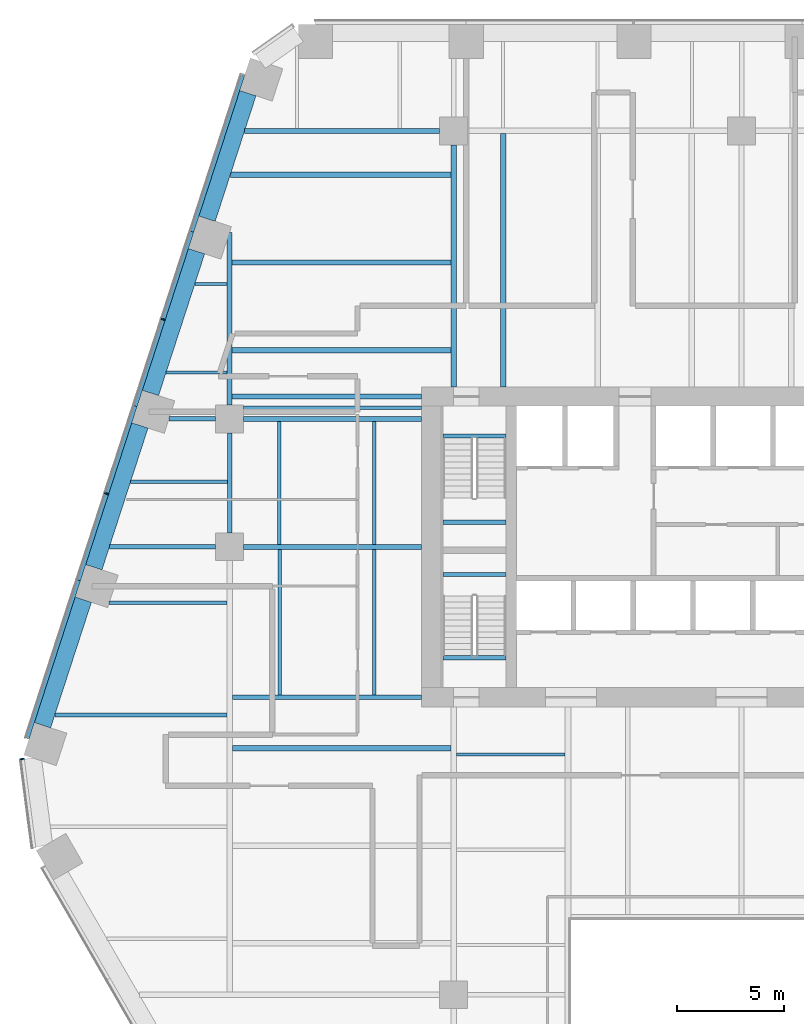
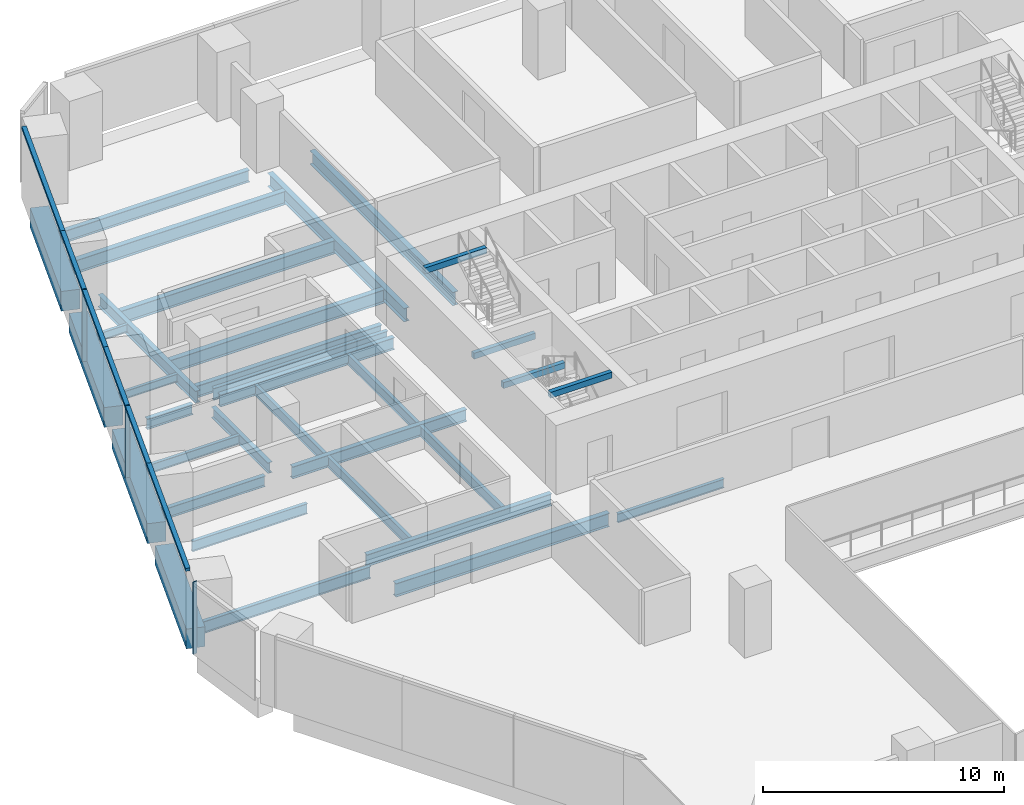
# One storey, part 8 of 21: 34 beams, 9 members, 2 elements without a shape of their own.
"""IFC4 building model written with IfcOpenShell, lengths in metres."""

from ifc_helpers import new_model, si_unit, direction, frame, origin, origin_2d, place, context, subcontext, project, spatial, rectangle, i_section, extrude, material, layer, layer_set, material_profile, profile_set, type_object, element, aggregate, save


model = new_model("IFC4")

# Units and contexts
model_context = context("Model", 3, precision=1e-05, world=origin(), true_north=direction((0.0, 1.0)))
body_context = subcontext(model_context, "Body", "Model", "MODEL_VIEW")
ifc_project = project(units=[si_unit("LENGTHUNIT", "METRE"), si_unit("AREAUNIT", "SQUARE_METRE"), si_unit("VOLUMEUNIT", "CUBIC_METRE"), si_unit("PLANEANGLEUNIT", "RADIAN"), si_unit("MASSUNIT", "GRAM", prefix="KILO")], contexts=[model_context])

# Site, building, storey
site_placement = place(None, origin())
site = spatial("IfcSite", under=ifc_project, at=site_placement, CompositionType="ELEMENT")
building_placement = place(site_placement, origin())
building = spatial("IfcBuilding", under=site, at=building_placement, Name="Isthmus Gate Tower", CompositionType="ELEMENT")
storey_placement = place(building_placement, frame((0.0, 0.0, 106.199951171875)))
storey = spatial("IfcBuildingStorey", under=building, at=storey_placement, Name="L25", CompositionType="ELEMENT", Elevation=106.199951171875)

# Curtain wall, members
ifc_material_1 = material(Name="Aluminium, pale champagne anodised", Category="aluminium")
ifc_layer = layer(ifc_material_1, 0.199951171875)
ifc_layer_set = layer_set([ifc_layer], Name="CW-1 UNITISED CURTAIN WALL 200 DEEP")
curtain_wall_type = type_object("IfcCurtainWallType", Name="CW-1 UNITISED CURTAIN WALL 200 DEEP", PredefinedType="NOTDEFINED", material=ifc_layer_set)
curtain_wall_1_placement = place(storey_placement, origin())
curtain_wall_1 = element("IfcCurtainWall", 1, at=curtain_wall_1_placement, inside=storey, type_object=curtain_wall_type, Name="CW-1 NW L25", PredefinedType="NOTDEFINED")
ifc_material_2 = material(Name="Aluminium, pale champagne anodised", Category="aluminium")
ifc_material_profile_1 = material_profile(ifc_material_2, rectangle(XDim=0.06005859375, YDim=0.199951171875, at=origin_2d()), Name="60x200")
ifc_profile_set_1 = profile_set([ifc_material_profile_1], Name="Aluminium, pale champagne anodised")
member_type_1 = type_object("IfcMemberType", Name="CW-1 MULLION 60 X 200", PredefinedType="MULLION", material=ifc_profile_set_1)
member_1_placement = place(storey_placement, frame((-27.11474609375, 18.163818359375, 0.0), z_axis=(0.0, 0.0, 1.0), x_axis=(-0.309016994375, -0.951056516295, 0.0)))
member_1 = element("IfcMember", 2, at=member_1_placement, type_object=member_type_1, Name="CW-1 mullion", PredefinedType="MULLION", context=body_context, shape_type="SweptSolid", body=[
    extrude(rectangle(XDim=0.06005859375, YDim=0.199951171875, at=origin_2d()), origin(), (0.0, 0.0, 1.0), 3.650146484375),
])
member_2_placement = place(storey_placement, frame((-29.76904296875, 9.994873046875, 0.0), z_axis=(0.0, 0.0, 1.0), x_axis=(-0.309016994375, -0.951056516295, 0.0)))
member_2 = element("IfcMember", 3, at=member_2_placement, type_object=member_type_1, Name="CW-1 mullion", PredefinedType="MULLION", context=body_context, shape_type="SweptSolid", body=[
    extrude(rectangle(XDim=0.06005859375, YDim=0.199951171875, at=origin_2d()), origin(), (0.0, 0.0, 1.0), 3.650146484375),
])

# Curtain wall, member
curtain_wall_2_placement = place(storey_placement, origin())
curtain_wall_2 = element("IfcCurtainWall", 4, at=curtain_wall_2_placement, inside=storey, type_object=curtain_wall_type, Name="CW-1 NW-SW L25", PredefinedType="NOTDEFINED")
member_3_placement = place(storey_placement, frame((-33.722900390625, -2.44482421875, 0.0), z_axis=(0.0, 0.0, 1.0), x_axis=(0.129164534, -0.991623175988, 0.0)))
member_3 = element("IfcMember", 5, at=member_3_placement, type_object=member_type_1, Name="CW-1 mullion", PredefinedType="MULLION", context=body_context, shape_type="SweptSolid", body=[
    extrude(rectangle(XDim=0.06005859375, YDim=0.199951171875, at=origin_2d()), origin(), (0.0, 0.0, 1.0), 3.650146484375),
])
aggregate(curtain_wall_2, [member_3])

# Member
ifc_material_3 = material(Name="Aluminium, pale champagne anodised", Category="aluminium")
ifc_material_profile_2 = material_profile(ifc_material_3, rectangle(XDim=0.199951171875, YDim=0.14990234375, at=origin_2d()), Name="200x150")
ifc_profile_set_2 = profile_set([ifc_material_profile_2], Name="Aluminium, pale champagne anodised")
member_type_2 = type_object("IfcMemberType", Name="CW-1 TRANSOM 200 X 150", PredefinedType="USERDEFINED", material=ifc_profile_set_2)
member_4_placement = place(storey_placement, frame((-23.389892578125, 29.6279296875, 3.574951171875), z_axis=(-0.309036077329, -0.951050315656, 0.0), x_axis=(0.951050315656, -0.309036077329, 0.0)))
member_4 = element("IfcMember", 6, at=member_4_placement, type_object=member_type_2, Name="CW-1 transom", ObjectType="TRANSOM", PredefinedType="USERDEFINED", context=body_context, shape_type="SweptSolid", body=[
    extrude(rectangle(XDim=0.199951171875, YDim=0.14990234375, at=origin_2d()), origin(), (0.0, 0.0, 1.0), 7.7294921875),
])

member_5_placement = place(storey_placement, frame((-25.778564453125, 22.27685546875, 3.574951171875), z_axis=(-0.309021801109, -0.951054954479, 0.0), x_axis=(0.951054954479, -0.309021801109, 0.0)))
member_5 = element("IfcMember", 7, at=member_5_placement, type_object=member_type_2, Name="CW-1 transom", ObjectType="TRANSOM", PredefinedType="USERDEFINED", context=body_context, shape_type="SweptSolid", body=[
    extrude(rectangle(XDim=0.199951171875, YDim=0.14990234375, at=origin_2d()), origin(), (0.0, 0.0, 1.0), 4.294677734375),
])

member_6_placement = place(storey_placement, frame((-27.1240234375, 18.13525390625, 3.574951171875), z_axis=(-0.309023496777, -0.951054403512, 0.0), x_axis=(0.951054403512, -0.309023496777, 0.0)))
member_6 = element("IfcMember", 8, at=member_6_placement, type_object=member_type_2, Name="CW-1 transom", ObjectType="TRANSOM", PredefinedType="USERDEFINED", context=body_context, shape_type="SweptSolid", body=[
    extrude(rectangle(XDim=0.199951171875, YDim=0.14990234375, at=origin_2d()), origin(), (0.0, 0.0, 1.0), 4.234619140625),
])

member_7_placement = place(storey_placement, frame((-28.4326171875, 14.10791015625, 3.574951171875), z_axis=(-0.309021801109, -0.951054954479, 0.0), x_axis=(0.951054954479, -0.309021801109, 0.0)))
member_7 = element("IfcMember", 9, at=member_7_placement, type_object=member_type_2, Name="CW-1 transom", ObjectType="TRANSOM", PredefinedType="USERDEFINED", context=body_context, shape_type="SweptSolid", body=[
    extrude(rectangle(XDim=0.199951171875, YDim=0.14990234375, at=origin_2d()), origin(), (0.0, 0.0, 1.0), 4.294677734375),
])

member_8_placement = place(storey_placement, frame((-29.7783203125, 9.96630859375, 3.574951171875), z_axis=(-0.309023496777, -0.951054403512, 0.0), x_axis=(0.951054403512, -0.309023496777, 0.0)))
member_8 = element("IfcMember", 10, at=member_8_placement, type_object=member_type_2, Name="CW-1 transom", ObjectType="TRANSOM", PredefinedType="USERDEFINED", context=body_context, shape_type="SweptSolid", body=[
    extrude(rectangle(XDim=0.199951171875, YDim=0.14990234375, at=origin_2d()), origin(), (0.0, 0.0, 1.0), 4.234619140625),
])

member_9_placement = place(storey_placement, frame((-31.0869140625, 5.93896484375, 3.574951171875), z_axis=(-0.309015907338, -0.951056869494, 0.0), x_axis=(0.951056869494, -0.309015907338, 0.0)))
member_9 = element("IfcMember", 11, at=member_9_placement, type_object=member_type_2, Name="CW-1 transom", ObjectType="TRANSOM", PredefinedType="USERDEFINED", context=body_context, shape_type="SweptSolid", body=[
    extrude(rectangle(XDim=0.199951171875, YDim=0.14990234375, at=origin_2d()), origin(), (0.0, 0.0, 1.0), 7.789306640625),
])

aggregate(curtain_wall_1, [member_4, member_5, member_1, member_6, member_7, member_2, member_8, member_9])

# Beams
ifc_material_4 = material(Name="Concrete f'c 70 MPa", Category="concrete")
ifc_material_profile_3 = material_profile(ifc_material_4, rectangle(XDim=0.800048828125, YDim=1.0, at=origin_2d()), Name="RC 800X1000")
ifc_profile_set_3 = profile_set([ifc_material_profile_3], Name="Concrete f'c 70 MPa")
beam_type_1 = type_object("IfcBeamType", Name="RC SPANDREL 800 X 1000", PredefinedType="SPANDREL", material=ifc_profile_set_3)
beam_1_placement = place(storey_placement, frame((-32.771240234375, -0.86279296875, -0.5), z_axis=(0.309012042366, 0.951058125286, 0.0), x_axis=(-0.951058125286, 0.309012042366, 0.0)))
element("IfcBeam", 12, at=beam_1_placement, inside=storey, type_object=beam_type_1, Name="str-spandrel-L25-18", PredefinedType="SPANDREL", context=body_context, shape_type="SweptSolid", body=[
    extrude(rectangle(XDim=0.800048828125, YDim=1.0, at=origin_2d()), origin(), (0.0, 0.0, 1.0), 6.189453125),
])
for number, where, z_axis, x_axis, name in (
    (13, (-30.3642578125, 6.54541015625, -0.5), (0.309029993465, 0.951052292537, 0.0), (-0.951052292537, 0.309029993465, 0.0), "str-spandrel-L25-19"),
    (14, (-27.7099609375, 14.71435546875, -0.5), (0.309029993465, 0.951052292537, 0.0), (-0.951052292537, 0.309029993465, 0.0), "str-spandrel-L25-20"),
):
    element("IfcBeam", number, at=place(storey_placement, frame(where, z_axis=z_axis, x_axis=x_axis)), inside=storey, type_object=beam_type_1, Name=name, PredefinedType="SPANDREL", context=body_context, shape_type="SweptSolid", body=[
        extrude(rectangle(XDim=0.800048828125, YDim=1.0, at=origin_2d()), origin(), (0.0, 0.0, 1.0), 6.9892578125),
    ])
beam_2_placement = place(storey_placement, frame((-25.0556640625, 22.88330078125, -0.5), z_axis=(0.309023635203, 0.951054358534, 0.0), x_axis=(-0.951054358534, 0.309023635203, 0.0)))
element("IfcBeam", 15, at=beam_2_placement, inside=storey, type_object=beam_type_1, Name="str-spandrel-L25-21", PredefinedType="SPANDREL", context=body_context, shape_type="SweptSolid", body=[
    extrude(rectangle(XDim=0.800048828125, YDim=1.0, at=origin_2d()), origin(), (0.0, 0.0, 1.0), 6.189208984375),
])
ifc_material_5 = material(Name="Concrete f'c 40 MPa", Category="concrete")
ifc_material_profile_4 = material_profile(ifc_material_5, rectangle(XDim=0.199951171875, YDim=0.300048828125, at=origin_2d()), Name="STAIR LANDING BEAM RC 200 X 300")
ifc_profile_set_4 = profile_set([ifc_material_profile_4], Name="Concrete f'c 40 MPa")
beam_type_2 = type_object("IfcBeamType", Name="STAIR LANDING BEAM RC 200 X 300", PredefinedType="BEAM", material=ifc_profile_set_4)
for number, where, z_axis, x_axis, name in (
    (16, (-14.0, 8.64990234375, 1.47509765625), (1.0, 0.0, 0.0), (0.0, 1.0, 0.0), "L25 ST1 landing beam 1"),
    (17, (-14.0, 12.7001953125, 3.35009765625), (1.0, 0.0, 0.0), (0.0, 1.0, 0.0), "L25 ST1 floor-edge seat beam"),
    (18, (-14.0, 6.199951171875, 1.47509765625), (1.0, 0.0, 0.0), (0.0, 1.0, 0.0), "L25 ST7 landing beam 1"),
    (19, (-14.0, 2.2998046875, 3.35009765625), (1.0, 0.0, 0.0), (0.0, 1.0, 0.0), "L25 ST7 floor-edge seat beam"),
):
    element("IfcBeam", number, at=place(storey_placement, frame(where, z_axis=z_axis, x_axis=x_axis)), inside=storey, type_object=beam_type_2, Name=name, PredefinedType="BEAM", context=body_context, shape_type="SweptSolid", body=[
        extrude(rectangle(XDim=0.199951171875, YDim=0.300048828125, at=origin_2d()), origin(), (0.0, 0.0, 1.0), 2.949951171875),
    ])
ifc_material_6 = material(Name="Structural steel ASTM A992 Gr 50", Category="steel")
ifc_material_profile_5 = material_profile(ifc_material_6, i_section(OverallWidth=0.1396484375, OverallDepth=0.4033203125, WebThickness=0.00634765625, FlangeThickness=0.010986328125, at=origin_2d()), Name="W16X31")
ifc_profile_set_5 = profile_set([ifc_material_profile_5], Name="Structural steel ASTM A992 Gr 50")
beam_type_3 = type_object("IfcBeamType", Name="STEEL FLOOR BEAM W16X31", PredefinedType="JOIST", material=ifc_profile_set_5)
beam_3_placement = place(storey_placement, frame((-26.976318359375, 15.677978515625, -0.3515625), z_axis=(1.0, 0.0, 0.0), x_axis=(0.0, 1.0, 0.0)))
element("IfcBeam", 20, at=beam_3_placement, inside=storey, type_object=beam_type_3, Name="str-beam-L25-02-00", PredefinedType="JOIST", context=body_context, shape_type="SweptSolid", body=[
    extrude(i_section(OverallWidth=0.1396484375, OverallDepth=0.4033203125, WebThickness=0.00634765625, FlangeThickness=0.010986328125, at=origin_2d()), origin(), (0.0, 0.0, 1.0), 2.862060546875),
])
beam_4_placement = place(storey_placement, frame((-25.629150390625, 19.82421875, -0.3515625), z_axis=(1.0, 0.0, 0.0), x_axis=(0.0, 1.0, 0.0)))
element("IfcBeam", 21, at=beam_4_placement, inside=storey, type_object=beam_type_3, Name="str-beam-L25-02-01", PredefinedType="JOIST", context=body_context, shape_type="SweptSolid", body=[
    extrude(i_section(OverallWidth=0.1396484375, OverallDepth=0.4033203125, WebThickness=0.00634765625, FlangeThickness=0.010986328125, at=origin_2d()), origin(), (0.0, 0.0, 1.0), 1.514892578125),
])
ifc_material_7 = material(Name="Structural steel ASTM A992 Gr 50", Category="steel")
ifc_material_profile_6 = material_profile(ifc_material_7, i_section(OverallWidth=0.15234375, OverallDepth=0.45068359375, WebThickness=0.0078125, FlangeThickness=0.010986328125, at=origin_2d()), Name="W18X35")
ifc_profile_set_6 = profile_set([ifc_material_profile_6], Name="Structural steel ASTM A992 Gr 50")
beam_type_4 = type_object("IfcBeamType", Name="STEEL FLOOR BEAM W18X35", PredefinedType="JOIST", material=ifc_profile_set_6)
beam_5_placement = place(storey_placement, frame((-28.6416015625, 10.552490234375, -0.375244140625), z_axis=(1.0, 0.0, 0.0), x_axis=(0.0, 1.0, 0.0)))
element("IfcBeam", 22, at=beam_5_placement, inside=storey, type_object=beam_type_4, Name="str-beam-L25-01-00", PredefinedType="JOIST", context=body_context, shape_type="SweptSolid", body=[
    extrude(i_section(OverallWidth=0.15234375, OverallDepth=0.45068359375, WebThickness=0.0078125, FlangeThickness=0.010986328125, at=origin_2d()), origin(), (0.0, 0.0, 1.0), 4.536865234375),
])
beam_6_placement = place(storey_placement, frame((-13.3681640625, -2.232421875, -0.375244140625), z_axis=(1.0, 0.0, 0.0), x_axis=(0.0, 1.0, 0.0)))
element("IfcBeam", 23, at=beam_6_placement, inside=storey, type_object=beam_type_4, Name="str-beam-L25-12-02", PredefinedType="JOIST", context=body_context, shape_type="SweptSolid", body=[
    extrude(i_section(OverallWidth=0.15234375, OverallDepth=0.45068359375, WebThickness=0.0078125, FlangeThickness=0.010986328125, at=origin_2d()), origin(), (0.0, 0.0, 1.0), 5.1015625),
])
ifc_material_8 = material(Name="Structural steel ASTM A992 Gr 50", Category="steel")
ifc_material_profile_7 = material_profile(ifc_material_8, i_section(OverallWidth=0.1650390625, OverallDepth=0.52392578125, WebThickness=0.009521484375, FlangeThickness=0.010986328125, at=origin_2d()), Name="W21X44")
ifc_profile_set_7 = profile_set([ifc_material_profile_7], Name="Structural steel ASTM A992 Gr 50")
beam_type_5 = type_object("IfcBeamType", Name="STEEL FLOOR BEAM W21X44", PredefinedType="JOIST", material=ifc_profile_set_7)
beam_7_placement = place(storey_placement, frame((-29.645263671875, 4.875, -0.411865234375), z_axis=(1.0, 0.0, 0.0), x_axis=(0.0, 1.0, 0.0)))
element("IfcBeam", 24, at=beam_7_placement, inside=storey, type_object=beam_type_5, Name="str-beam-L25-00-03", PredefinedType="JOIST", context=body_context, shape_type="SweptSolid", body=[
    extrude(i_section(OverallWidth=0.1650390625, OverallDepth=0.52392578125, WebThickness=0.009521484375, FlangeThickness=0.010986328125, at=origin_2d()), origin(), (0.0, 0.0, 1.0), 5.511962890625),
])
for number, where, z_axis, x_axis, name in (
    (25, (-21.64990234375, 0.564208984375, -0.411865234375), (0.0, 1.0, 0.0), (-1.0, 0.0, 0.0), "str-beam-L25-03-00"),
    (26, (-17.216552734375, 0.564208984375, -0.411865234375), (0.0, 1.0, 0.0), (-1.0, 0.0, 0.0), "str-beam-L25-03-01"),
):
    element("IfcBeam", number, at=place(storey_placement, frame(where, z_axis=z_axis, x_axis=x_axis)), inside=storey, type_object=beam_type_5, Name=name, PredefinedType="JOIST", context=body_context, shape_type="SweptSolid", body=[
        extrude(i_section(OverallWidth=0.1650390625, OverallDepth=0.52392578125, WebThickness=0.009521484375, FlangeThickness=0.010986328125, at=origin_2d()), origin(), (0.0, 0.0, 1.0), 6.821533203125),
    ])
for number, where, z_axis, x_axis, name in (
    (27, (-21.67138671875, 7.6142578125, -0.411865234375), (0.0, 1.0, 0.0), (-1.0, 0.0, 0.0), "str-beam-L25-04-00"),
    (28, (-17.223876953125, 7.6142578125, -0.411865234375), (0.0, 1.0, 0.0), (-1.0, 0.0, 0.0), "str-beam-L25-04-01"),
):
    element("IfcBeam", number, at=place(storey_placement, frame(where, z_axis=z_axis, x_axis=x_axis)), inside=storey, type_object=beam_type_5, Name=name, PredefinedType="JOIST", context=body_context, shape_type="SweptSolid", body=[
        extrude(i_section(OverallWidth=0.1650390625, OverallDepth=0.52392578125, WebThickness=0.009521484375, FlangeThickness=0.010986328125, at=origin_2d()), origin(), (0.0, 0.0, 1.0), 5.771484375),
    ])
ifc_material_9 = material(Name="Structural steel ASTM A992 Gr 50", Category="steel")
ifc_material_profile_8 = material_profile(ifc_material_9, i_section(OverallWidth=0.177734375, OverallDepth=0.60009765625, WebThickness=0.009521484375, FlangeThickness=0.0126953125, at=origin_2d()), Name="W24X55")
ifc_profile_set_8 = profile_set([ifc_material_profile_8], Name="Structural steel ASTM A992 Gr 50")
beam_type_6 = type_object("IfcBeamType", Name="STEEL FLOOR BEAM W24X55", PredefinedType="JOIST", material=ifc_profile_set_8)
beam_8_placement = place(storey_placement, frame((-32.192138671875, -0.375, -0.449951171875), z_axis=(1.0, 0.0, 0.0), x_axis=(0.0, 1.0, 0.0)))
element("IfcBeam", 29, at=beam_8_placement, inside=storey, type_object=beam_type_6, Name="str-beam-L25-00-02", PredefinedType="JOIST", context=body_context, shape_type="SweptSolid", body=[
    extrude(i_section(OverallWidth=0.177734375, OverallDepth=0.60009765625, WebThickness=0.009521484375, FlangeThickness=0.0126953125, at=origin_2d()), origin(), (0.0, 0.0, 1.0), 8.058837890625),
])
beam_9_placement = place(storey_placement, frame((-23.35009765625, 14.02490234375, -0.449951171875), z_axis=(1.0, 0.0, 0.0), x_axis=(0.0, 1.0, 0.0)))
element("IfcBeam", 30, at=beam_9_placement, inside=storey, type_object=beam_type_6, Name="str-beam-L25-05-00", PredefinedType="JOIST", context=body_context, shape_type="SweptSolid", body=[
    extrude(i_section(OverallWidth=0.177734375, OverallDepth=0.60009765625, WebThickness=0.009521484375, FlangeThickness=0.0126953125, at=origin_2d()), origin(), (0.0, 0.0, 1.0), 8.35009765625),
])
ifc_material_10 = material(Name="Structural steel ASTM A992 Gr 50", Category="steel")
ifc_material_profile_9 = material_profile(ifc_material_10, i_section(OverallWidth=0.25390625, OverallDepth=0.679443359375, WebThickness=0.010986328125, FlangeThickness=0.015869140625, at=origin_2d()), Name="W27X84")
ifc_profile_set_9 = profile_set([ifc_material_profile_9], Name="Structural steel ASTM A992 Gr 50")
beam_type_7 = type_object("IfcBeamType", Name="STEEL FLOOR BEAM W27X84", PredefinedType="JOIST", material=ifc_profile_set_9)
for number, where, z_axis, x_axis, name in (
    (31, (-23.8857421875, 16.72021484375, -0.48974609375), (1.0, 0.0, 0.0), (0.0, 1.0, 0.0), "str-beam-L25-07-00"),
    (32, (-23.8857421875, 20.83203125, -0.48974609375), (1.0, 0.0, 0.0), (0.0, 1.0, 0.0), "str-beam-L25-07-01"),
):
    element("IfcBeam", number, at=place(storey_placement, frame(where, z_axis=z_axis, x_axis=x_axis)), inside=storey, type_object=beam_type_7, Name=name, PredefinedType="JOIST", context=body_context, shape_type="SweptSolid", body=[
        extrude(i_section(OverallWidth=0.25390625, OverallDepth=0.679443359375, WebThickness=0.010986328125, FlangeThickness=0.015869140625, at=origin_2d()), origin(), (0.0, 0.0, 1.0), 10.2587890625),
    ])
beam_10_placement = place(storey_placement, frame((-23.965576171875, 24.944091796875, -0.48974609375), z_axis=(1.0, 0.0, 0.0), x_axis=(0.0, 1.0, 0.0)))
element("IfcBeam", 33, at=beam_10_placement, inside=storey, type_object=beam_type_7, Name="str-beam-L25-07-02", PredefinedType="JOIST", context=body_context, shape_type="SweptSolid", body=[
    extrude(i_section(OverallWidth=0.25390625, OverallDepth=0.679443359375, WebThickness=0.010986328125, FlangeThickness=0.015869140625, at=origin_2d()), origin(), (0.0, 0.0, 1.0), 10.338623046875),
])
beam_11_placement = place(storey_placement, frame((-23.86669921875, -1.947998046875, -0.48974609375), z_axis=(1.0, 0.0, 0.0), x_axis=(0.0, 1.0, 0.0)))
element("IfcBeam", 34, at=beam_11_placement, inside=storey, type_object=beam_type_7, Name="str-beam-L25-08-02", PredefinedType="JOIST", context=body_context, shape_type="SweptSolid", body=[
    extrude(i_section(OverallWidth=0.25390625, OverallDepth=0.679443359375, WebThickness=0.010986328125, FlangeThickness=0.015869140625, at=origin_2d()), origin(), (0.0, 0.0, 1.0), 10.23486328125),
])
beam_12_placement = place(storey_placement, frame((-11.165283203125, 15.0, -0.48974609375), z_axis=(0.0, 1.0, 0.0), x_axis=(-1.0, 0.0, 0.0)))
element("IfcBeam", 35, at=beam_12_placement, inside=storey, type_object=beam_type_7, Name="str-beam-L25-14-00", PredefinedType="JOIST", context=body_context, shape_type="SweptSolid", body=[
    extrude(i_section(OverallWidth=0.25390625, OverallDepth=0.679443359375, WebThickness=0.010986328125, FlangeThickness=0.015869140625, at=origin_2d()), origin(), (0.0, 0.0, 1.0), 11.8681640625),
])
ifc_material_11 = material(Name="Structural steel ASTM A992 Gr 50", Category="steel")
ifc_material_profile_10 = material_profile(ifc_material_11, i_section(OverallWidth=0.20947265625, OverallDepth=0.533447265625, WebThickness=0.009521484375, FlangeThickness=0.015869140625, at=origin_2d()), Name="W21X62")
ifc_profile_set_10 = profile_set([ifc_material_profile_10], Name="Structural steel ASTM A992 Gr 50")
beam_type_8 = type_object("IfcBeamType", Name="STEEL GIRDER W21X62", PredefinedType="BEAM", material=ifc_profile_set_10)
beam_13_placement = place(storey_placement, frame((-29.633544921875, 7.5, -0.416748046875), z_axis=(1.0, 0.0, 0.0), x_axis=(0.0, 1.0, 0.0)))
element("IfcBeam", 36, at=beam_13_placement, inside=storey, type_object=beam_type_8, Name="str-girder-L25-09", PredefinedType="BEAM", context=body_context, shape_type="SweptSolid", body=[
    extrude(i_section(OverallWidth=0.20947265625, OverallDepth=0.533447265625, WebThickness=0.009521484375, FlangeThickness=0.015869140625, at=origin_2d()), origin(), (0.0, 0.0, 1.0), 4.983642578125),
])
beam_14_placement = place(storey_placement, frame((-26.8427734375, 13.5, -0.416748046875), z_axis=(1.0, 0.0, 0.0), x_axis=(0.0, 1.0, 0.0)))
element("IfcBeam", 37, at=beam_14_placement, inside=storey, type_object=beam_type_8, Name="str-girder-L25-13", PredefinedType="BEAM", context=body_context, shape_type="SweptSolid", body=[
    extrude(i_section(OverallWidth=0.20947265625, OverallDepth=0.533447265625, WebThickness=0.009521484375, FlangeThickness=0.015869140625, at=origin_2d()), origin(), (0.0, 0.0, 1.0), 2.19287109375),
])
beam_15_placement = place(storey_placement, frame((-24.0, 8.14990234375, -0.416748046875), z_axis=(0.0, 1.0, 0.0), x_axis=(-1.0, 0.0, 0.0)))
element("IfcBeam", 38, at=beam_15_placement, inside=storey, type_object=beam_type_8, Name="str-girder-L25-22", PredefinedType="BEAM", context=body_context, shape_type="SweptSolid", body=[
    extrude(i_section(OverallWidth=0.20947265625, OverallDepth=0.533447265625, WebThickness=0.009521484375, FlangeThickness=0.015869140625, at=origin_2d()), origin(), (0.0, 0.0, 1.0), 4.7001953125),
])
ifc_material_12 = material(Name="Structural steel ASTM A992 Gr 50", Category="steel")
ifc_material_profile_11 = material_profile(ifc_material_12, i_section(OverallWidth=0.228515625, OverallDepth=0.6064453125, WebThickness=0.010986328125, FlangeThickness=0.017578125, at=origin_2d()), Name="W24X76")
ifc_profile_set_11 = profile_set([ifc_material_profile_11], Name="Structural steel ASTM A992 Gr 50")
beam_type_9 = type_object("IfcBeamType", Name="STEEL GIRDER W24X76", PredefinedType="BEAM", material=ifc_profile_set_11)
for number, where, z_axis, x_axis, name in (
    (39, (-23.35009765625, 7.5, -0.453125), (1.0, 0.0, 0.0), (0.0, 1.0, 0.0), "str-girder-L25-10"),
    (40, (-23.35009765625, 13.5, -0.453125), (1.0, 0.0, 0.0), (0.0, 1.0, 0.0), "str-girder-L25-14"),
):
    element("IfcBeam", number, at=place(storey_placement, frame(where, z_axis=z_axis, x_axis=x_axis)), inside=storey, type_object=beam_type_9, Name=name, PredefinedType="BEAM", context=body_context, shape_type="SweptSolid", body=[
        extrude(i_section(OverallWidth=0.228515625, OverallDepth=0.6064453125, WebThickness=0.010986328125, FlangeThickness=0.017578125, at=origin_2d()), origin(), (0.0, 0.0, 1.0), 8.35009765625),
    ])
beam_16_placement = place(storey_placement, frame((-23.297607421875, 27.0, -0.453125), z_axis=(1.0, 0.0, 0.0), x_axis=(0.0, 1.0, 0.0)))
element("IfcBeam", 41, at=beam_16_placement, inside=storey, type_object=beam_type_9, Name="str-girder-L25-17", PredefinedType="BEAM", context=body_context, shape_type="SweptSolid", body=[
    extrude(i_section(OverallWidth=0.228515625, OverallDepth=0.6064453125, WebThickness=0.010986328125, FlangeThickness=0.017578125, at=origin_2d()), origin(), (0.0, 0.0, 1.0), 9.147705078125),
])
beam_17_placement = place(storey_placement, frame((-24.0, 14.14990234375, -0.453125), z_axis=(0.0, 1.0, 0.0), x_axis=(-1.0, 0.0, 0.0)))
element("IfcBeam", 42, at=beam_17_placement, inside=storey, type_object=beam_type_9, Name="str-girder-L25-23", PredefinedType="BEAM", context=body_context, shape_type="SweptSolid", body=[
    extrude(i_section(OverallWidth=0.228515625, OverallDepth=0.6064453125, WebThickness=0.010986328125, FlangeThickness=0.017578125, at=origin_2d()), origin(), (0.0, 0.0, 1.0), 8.099365234375),
])
beam_18_placement = place(storey_placement, frame((-15.0, 0.449951171875, -0.453125), z_axis=(-1.0, 0.0, 0.0), x_axis=(0.0, -1.0, 0.0)))
element("IfcBeam", 43, at=beam_18_placement, inside=storey, type_object=beam_type_9, Name="str-girder-L25-39", PredefinedType="BEAM", context=body_context, shape_type="SweptSolid", body=[
    extrude(i_section(OverallWidth=0.228515625, OverallDepth=0.6064453125, WebThickness=0.010986328125, FlangeThickness=0.017578125, at=origin_2d()), origin(), (0.0, 0.0, 1.0), 8.86669921875),
])
beam_19_placement = place(storey_placement, frame((-15.0, 14.550048828125, -0.453125), z_axis=(-1.0, 0.0, 0.0), x_axis=(0.0, -1.0, 0.0)))
element("IfcBeam", 44, at=beam_19_placement, inside=storey, type_object=beam_type_9, Name="str-girder-L25-41", PredefinedType="BEAM", context=body_context, shape_type="SweptSolid", body=[
    extrude(i_section(OverallWidth=0.228515625, OverallDepth=0.6064453125, WebThickness=0.010986328125, FlangeThickness=0.017578125, at=origin_2d()), origin(), (0.0, 0.0, 1.0), 8.8857421875),
])
ifc_material_13 = material(Name="Structural steel ASTM A992 Gr 50", Category="steel")
ifc_material_profile_12 = material_profile(ifc_material_13, i_section(OverallWidth=0.25390625, OverallDepth=0.679443359375, WebThickness=0.010986328125, FlangeThickness=0.015869140625, at=origin_2d()), Name="W27X84")
ifc_profile_set_12 = profile_set([ifc_material_profile_12], Name="Structural steel ASTM A992 Gr 50")
beam_type_10 = type_object("IfcBeamType", Name="STEEL GIRDER W27X84", PredefinedType="BEAM", material=ifc_profile_set_12)
beam_20_placement = place(storey_placement, frame((-13.5, 15.0, -0.48974609375), z_axis=(0.0, 1.0, 0.0), x_axis=(-1.0, 0.0, 0.0)))
element("IfcBeam", 45, at=beam_20_placement, inside=storey, type_object=beam_type_10, Name="str-girder-L25-27", PredefinedType="BEAM", context=body_context, shape_type="SweptSolid", body=[
    extrude(i_section(OverallWidth=0.25390625, OverallDepth=0.679443359375, WebThickness=0.010986328125, FlangeThickness=0.015869140625, at=origin_2d()), origin(), (0.0, 0.0, 1.0), 11.35009765625),
])

save(model, "model.ifc")
